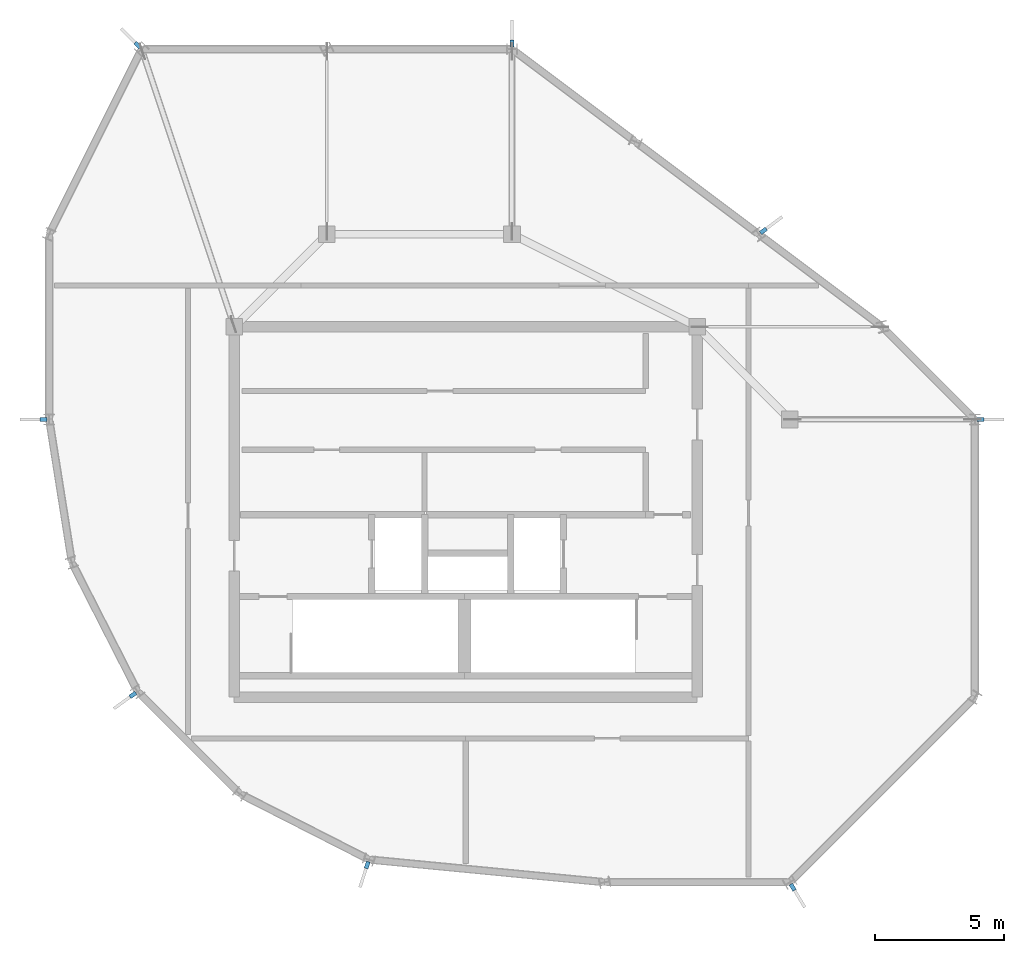
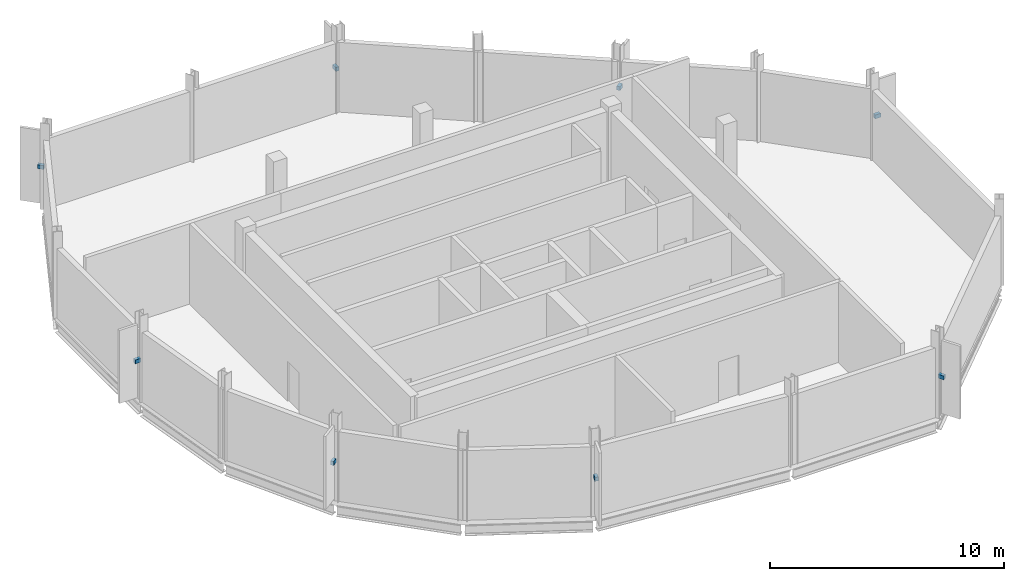
# One storey, part 3 of 4: 8 discrete accessories.
"""IFC4 building model written with IfcOpenShell, lengths in metres."""

from ifc_helpers import new_model, si_unit, direction, frame, origin, origin_2d, place, context, subcontext, project, spatial, rectangle, extrude, material, type_object, element, save


model = new_model("IFC4")

# Units and contexts
model_context = context("Model", 3, precision=1e-05, world=origin(), true_north=direction((0.0, 1.0)))
body_context = subcontext(model_context, "Body", "Model", "MODEL_VIEW")
ifc_project = project(units=[si_unit("LENGTHUNIT", "METRE"), si_unit("AREAUNIT", "SQUARE_METRE"), si_unit("VOLUMEUNIT", "CUBIC_METRE"), si_unit("PLANEANGLEUNIT", "RADIAN"), si_unit("MASSUNIT", "GRAM", prefix="KILO")], contexts=[model_context])

# Site, building, storey
site_placement = place(None, origin())
site = spatial("IfcSite", under=ifc_project, at=site_placement, CompositionType="ELEMENT")
building_placement = place(site_placement, origin())
building = spatial("IfcBuilding", under=site, at=building_placement, Name="Solnavia Interchange Tower", CompositionType="ELEMENT")
storey_placement = place(building_placement, frame((0.0, 0.0, 322.199951171875)))
storey = spatial("IfcBuildingStorey", under=building, at=storey_placement, Name="C05", CompositionType="ELEMENT", Elevation=322.199951171875)

# Discrete accessories
ifc_material = material(Name="Stainless Steel 1.4401", Category="steel")
discrete_accessory_type = type_object("IfcDiscreteAccessoryType", Name="Bracket-Shade-220", PredefinedType="BRACKET", material=ifc_material)
for number, where, z_axis, x_axis, name in (
    (1, (43.419921875, 21.60009765625, 2.0), (0.0, 0.0, 1.0), (1.0, 0.0, 0.0), "BRK-C05-F01 Crown fin mounting bracket"),
    (2, (34.97607421875, 28.931884765625, 2.0), (0.0, 0.0, 1.0), (0.799998928149, 0.600001429133, 0.0), "BRK-C05-F03 Crown fin mounting bracket"),
    (3, (25.199951171875, 36.219970703125, 2.0), (0.0, 0.0, 1.0), (0.0, 1.0, 0.0), "BRK-C05-F05 Crown fin mounting bracket"),
    (4, (10.644287109375, 36.155517578125, 2.0), (0.0, 0.0, 1.0), (-0.707106781187, 0.707106781187, 0.0), "BRK-C05-F07 Crown fin mounting bracket"),
    (5, (6.97998046875, 21.60009765625, 2.0), (0.0, 0.0, 1.0), (-1.0, 0.0, 0.0), "BRK-C05-F09 Crown fin mounting bracket"),
    (6, (10.4599609375, 10.890625, 2.0), (0.0, 0.0, 1.0), (-0.809016994375, -0.587785252292, 0.0), "BRK-C05-F11 Crown fin mounting bracket"),
    (7, (19.570068359375, 4.271728515625, 2.0), (0.0, 0.0, 1.0), (-0.309016994375, -0.951056516295, 0.0), "BRK-C05-F13 Crown fin mounting bracket"),
    (8, (36.11328125, 3.411376953125, 2.0), (0.0, 0.0, 1.0), (0.514439533782, -0.857526656194, 0.0), "BRK-C05-F15 Crown fin mounting bracket"),
):
    element("IfcDiscreteAccessory", number, at=place(storey_placement, frame(where, z_axis=z_axis, x_axis=x_axis)), inside=storey, type_object=discrete_accessory_type, Name=name, PredefinedType="BRACKET", context=body_context, shape_type="SweptSolid", body=[
        extrude(rectangle(XDim=0.280029296875, YDim=0.159912109375, at=origin_2d()), origin(), (0.0, 0.0, 1.0), 0.199951171875),
    ])

save(model, "model.ifc")
